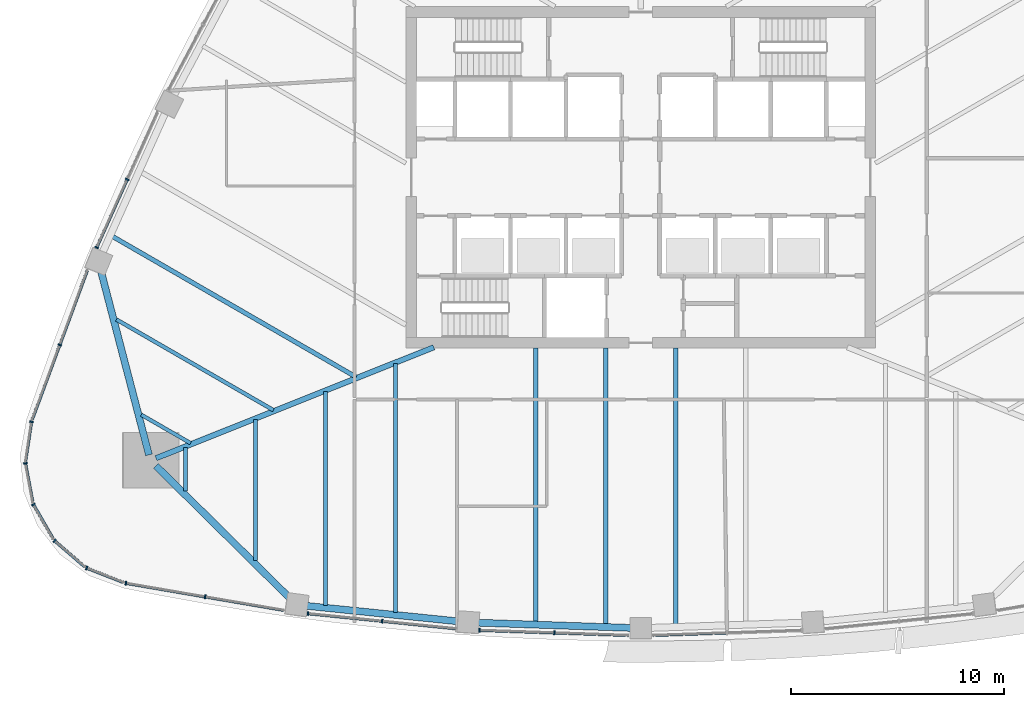
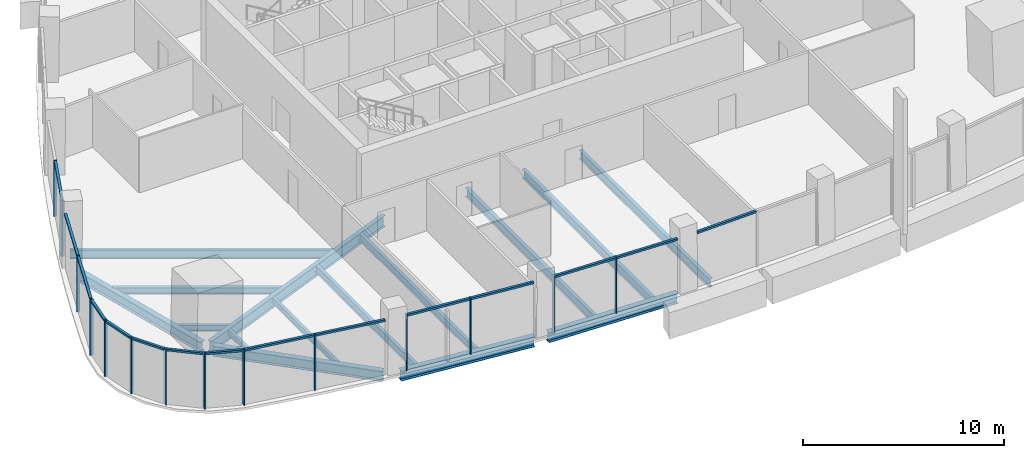
# One storey, part 2 of 17: 29 members, 15 beams, 11 elements without a shape of their own.
"""IFC4 building model written with IfcOpenShell, lengths in metres."""

from ifc_helpers import new_model, si_unit, direction, frame, origin, origin_2d, place, context, subcontext, project, spatial, rectangle, i_section, extrude, material, layer, layer_set, material_profile, profile_set, type_object, element, aggregate, save


model = new_model("IFC4")

# Units and contexts
model_context = context("Model", 3, precision=1e-05, world=origin(), true_north=direction((0.0, 1.0)))
body_context = subcontext(model_context, "Body", "Model", "MODEL_VIEW")
ifc_project = project(units=[si_unit("LENGTHUNIT", "METRE"), si_unit("AREAUNIT", "SQUARE_METRE"), si_unit("VOLUMEUNIT", "CUBIC_METRE"), si_unit("PLANEANGLEUNIT", "RADIAN"), si_unit("MASSUNIT", "GRAM", prefix="KILO")], contexts=[model_context])

# Site, building, storey
site_placement = place(None, origin())
site = spatial("IfcSite", under=ifc_project, at=site_placement, CompositionType="ELEMENT")
building_placement = place(site_placement, origin())
building = spatial("IfcBuilding", under=site, at=building_placement, Name="Sierra Prisma Convention Tower", CompositionType="ELEMENT")
storey_placement = place(building_placement, frame((0.0, 0.0, 201.800048828125)))
storey = spatial("IfcBuildingStorey", under=building, at=storey_placement, Name="L45", CompositionType="ELEMENT", Elevation=201.800048828125)

# Curtain wall, members
ifc_material_1 = material(Name="Aluminium and glass curtain wall", Category="aluminium")
ifc_layer = layer(ifc_material_1, 0.179931640625)
ifc_layer_set = layer_set([ifc_layer], Name="CW-1 Plain shaft curtain wall")
curtain_wall_type = type_object("IfcCurtainWallType", Name="CW-1 Plain shaft curtain wall", PredefinedType="NOTDEFINED", material=ifc_layer_set)
curtain_wall_1_placement = place(storey_placement, origin())
curtain_wall_1 = element("IfcCurtainWall", 1, at=curtain_wall_1_placement, inside=storey, type_object=curtain_wall_type, Name="CW-1 S1 L45", PredefinedType="NOTDEFINED")
ifc_material_2 = material(Name="Aluminium 6063-T6 bronze anodised", Category="aluminium")
ifc_material_profile_1 = material_profile(ifc_material_2, rectangle(XDim=0.179931640625, YDim=0.070068359375, at=origin_2d()), Name="ALU MULLION 70x180")
ifc_profile_set_1 = profile_set([ifc_material_profile_1], Name="Aluminium 6063-T6 bronze anodised")
member_type_1 = type_object("IfcMemberType", Name="CW mullion bronze", PredefinedType="MULLION", material=ifc_profile_set_1)
member_1_placement = place(storey_placement, frame((-24.114013671875, -19.0068359375, 0.0), z_axis=(0.0, 0.0, 1.0), x_axis=(0.168810463918, 0.985648531309, 0.0)))
member_1 = element("IfcMember", 2, at=member_1_placement, type_object=member_type_1, Name="CW-1 mullion S1.1", PredefinedType="MULLION", context=body_context, shape_type="SweptSolid", body=[
    extrude(rectangle(XDim=0.179931640625, YDim=0.070068359375, at=origin_2d()), origin(), (0.0, 0.0, 1.0), 3.39990234375),
])
member_2_placement = place(storey_placement, frame((-20.401123046875, -19.642822265625, 0.0), z_axis=(0.0, 0.0, 1.0), x_axis=(0.168810463918, 0.985648531309, 0.0)))
member_2 = element("IfcMember", 3, at=member_2_placement, type_object=member_type_1, Name="CW-1 mullion S1.2", PredefinedType="MULLION", context=body_context, shape_type="SweptSolid", body=[
    extrude(rectangle(XDim=0.179931640625, YDim=0.070068359375, at=origin_2d()), origin(), (0.0, 0.0, 1.0), 3.39990234375),
])

curtain_wall_2_placement = place(storey_placement, origin())
curtain_wall_2 = element("IfcCurtainWall", 4, at=curtain_wall_2_placement, inside=storey, type_object=curtain_wall_type, Name="CW-1 S2 L45", PredefinedType="NOTDEFINED")
member_3_placement = place(storey_placement, frame((-15.584716796875, -20.427734375, 0.0), z_axis=(0.0, 0.0, 1.0), x_axis=(0.101598010731, 0.994825534561, 0.0)))
member_3 = element("IfcMember", 5, at=member_3_placement, type_object=member_type_1, Name="CW-1 mullion S2.1", PredefinedType="MULLION", context=body_context, shape_type="SweptSolid", body=[
    extrude(rectangle(XDim=0.179931640625, YDim=0.070068359375, at=origin_2d()), origin(), (0.0, 0.0, 1.0), 3.39990234375),
])
member_4_placement = place(storey_placement, frame((-12.10791015625, -20.782958984375, 0.0), z_axis=(0.0, 0.0, 1.0), x_axis=(0.101598010731, 0.994825534561, 0.0)))
member_4 = element("IfcMember", 6, at=member_4_placement, type_object=member_type_1, Name="CW-1 mullion S2.2", PredefinedType="MULLION", context=body_context, shape_type="SweptSolid", body=[
    extrude(rectangle(XDim=0.179931640625, YDim=0.070068359375, at=origin_2d()), origin(), (0.0, 0.0, 1.0), 3.39990234375),
])

curtain_wall_3_placement = place(storey_placement, origin())
curtain_wall_3 = element("IfcCurtainWall", 7, at=curtain_wall_3_placement, inside=storey, type_object=curtain_wall_type, Name="CW-1 S3 L45", PredefinedType="NOTDEFINED")
member_5_placement = place(storey_placement, frame((-7.552001953125, -21.2109375, 0.0), z_axis=(0.0, 0.0, 1.0), x_axis=(0.033918030804, 0.999424618061, 0.0)))
member_5 = element("IfcMember", 8, at=member_5_placement, type_object=member_type_1, Name="CW-1 mullion S3.1", PredefinedType="MULLION", context=body_context, shape_type="SweptSolid", body=[
    extrude(rectangle(XDim=0.179931640625, YDim=0.070068359375, at=origin_2d()), origin(), (0.0, 0.0, 1.0), 3.39990234375),
])
member_6_placement = place(storey_placement, frame((-4.04345703125, -21.329833984375, 0.0), z_axis=(0.0, 0.0, 1.0), x_axis=(0.033918030804, 0.999424618061, 0.0)))
member_6 = element("IfcMember", 9, at=member_6_placement, type_object=member_type_1, Name="CW-1 mullion S3.2", PredefinedType="MULLION", context=body_context, shape_type="SweptSolid", body=[
    extrude(rectangle(XDim=0.179931640625, YDim=0.070068359375, at=origin_2d()), origin(), (0.0, 0.0, 1.0), 3.39990234375),
])

curtain_wall_4_placement = place(storey_placement, origin())
curtain_wall_4 = element("IfcCurtainWall", 10, at=curtain_wall_4_placement, inside=storey, type_object=curtain_wall_type, Name="CW-1 NW5 L45", PredefinedType="NOTDEFINED")
member_7_placement = place(storey_placement, frame((-24.052490234375, -0.094482421875, 0.0), z_axis=(0.0, 0.0, 1.0), x_axis=(0.912343190629, -0.409426309014, 0.0)))
member_7 = element("IfcMember", 11, at=member_7_placement, type_object=member_type_1, Name="CW-1 mullion NW5.2", PredefinedType="MULLION", context=body_context, shape_type="SweptSolid", body=[
    extrude(rectangle(XDim=0.179931640625, YDim=0.070068359375, at=origin_2d()), origin(), (0.0, 0.0, 1.0), 3.39990234375),
])
member_8_placement = place(storey_placement, frame((-25.4833984375, -3.28271484375, 0.0), z_axis=(0.0, 0.0, 1.0), x_axis=(0.912343190629, -0.409426309014, 0.0)))
member_8 = element("IfcMember", 12, at=member_8_placement, type_object=member_type_1, Name="CW-1 mullion NW5.3", PredefinedType="MULLION", context=body_context, shape_type="SweptSolid", body=[
    extrude(rectangle(XDim=0.179931640625, YDim=0.070068359375, at=origin_2d()), origin(), (0.0, 0.0, 1.0), 3.39990234375),
])

# Curtain wall, member
curtain_wall_5_placement = place(storey_placement, origin())
curtain_wall_5 = element("IfcCurtainWall", 13, at=curtain_wall_5_placement, inside=storey, type_object=curtain_wall_type, Name="CW-1 NW6 L45", PredefinedType="NOTDEFINED")
member_9_placement = place(storey_placement, frame((-27.211669921875, -7.846435546875, 0.0), z_axis=(0.0, 0.0, 1.0), x_axis=(0.938001899275, -0.346630115477, 0.0)))
member_9 = element("IfcMember", 14, at=member_9_placement, type_object=member_type_1, Name="CW-1 mullion NW6.2", PredefinedType="MULLION", context=body_context, shape_type="SweptSolid", body=[
    extrude(rectangle(XDim=0.179931640625, YDim=0.070068359375, at=origin_2d()), origin(), (0.0, 0.0, 1.0), 3.39990234375),
])

curtain_wall_6_placement = place(storey_placement, origin())
curtain_wall_6 = element("IfcCurtainWall", 15, at=curtain_wall_6_placement, inside=storey, type_object=curtain_wall_type, Name="CW-1 SW1 L45", PredefinedType="NOTDEFINED")
member_10_placement = place(storey_placement, frame((-28.534912109375, -11.447265625, 0.0), z_axis=(0.0, 0.0, 1.0), x_axis=(0.988572734382, -0.15074464779, 0.0)))
member_10 = element("IfcMember", 16, at=member_10_placement, type_object=member_type_1, Name="CW-1 mullion SW1.1", PredefinedType="MULLION", context=body_context, shape_type="SweptSolid", body=[
    extrude(rectangle(XDim=0.179931640625, YDim=0.070068359375, at=origin_2d()), origin(), (0.0, 0.0, 1.0), 3.39990234375),
])

curtain_wall_7_placement = place(storey_placement, origin())
curtain_wall_7 = element("IfcCurtainWall", 17, at=curtain_wall_7_placement, inside=storey, type_object=curtain_wall_type, Name="CW-1 SW2 L45", PredefinedType="NOTDEFINED")
member_11_placement = place(storey_placement, frame((-28.820068359375, -13.394287109375, 0.0), z_axis=(0.0, 0.0, 1.0), x_axis=(0.982726163628, 0.185065629767, 0.0)))
member_11 = element("IfcMember", 18, at=member_11_placement, type_object=member_type_1, Name="CW-1 mullion SW2.1", PredefinedType="MULLION", context=body_context, shape_type="SweptSolid", body=[
    extrude(rectangle(XDim=0.179931640625, YDim=0.070068359375, at=origin_2d()), origin(), (0.0, 0.0, 1.0), 3.39990234375),
])

curtain_wall_8_placement = place(storey_placement, origin())
curtain_wall_8 = element("IfcCurtainWall", 19, at=curtain_wall_8_placement, inside=storey, type_object=curtain_wall_type, Name="CW-1 SW3 L45", PredefinedType="NOTDEFINED")
member_12_placement = place(storey_placement, frame((-28.4443359375, -15.32568359375, 0.0), z_axis=(0.0, 0.0, 1.0), x_axis=(0.866025403784, 0.5, 0.0)))
member_12 = element("IfcMember", 20, at=member_12_placement, type_object=member_type_1, Name="CW-1 mullion SW3.1", PredefinedType="MULLION", context=body_context, shape_type="SweptSolid", body=[
    extrude(rectangle(XDim=0.179931640625, YDim=0.070068359375, at=origin_2d()), origin(), (0.0, 0.0, 1.0), 3.39990234375),
])

curtain_wall_9_placement = place(storey_placement, origin())
curtain_wall_9 = element("IfcCurtainWall", 21, at=curtain_wall_9_placement, inside=storey, type_object=curtain_wall_type, Name="CW-1 SW4 L45", PredefinedType="NOTDEFINED")
member_13_placement = place(storey_placement, frame((-27.45068359375, -17.02392578125, 0.0), z_axis=(0.0, 0.0, 1.0), x_axis=(0.65163461856, 0.758533007782, 0.0)))
member_13 = element("IfcMember", 22, at=member_13_placement, type_object=member_type_1, Name="CW-1 mullion SW4.1", PredefinedType="MULLION", context=body_context, shape_type="SweptSolid", body=[
    extrude(rectangle(XDim=0.179931640625, YDim=0.070068359375, at=origin_2d()), origin(), (0.0, 0.0, 1.0), 3.39990234375),
])

curtain_wall_10_placement = place(storey_placement, origin())
curtain_wall_10 = element("IfcCurtainWall", 23, at=curtain_wall_10_placement, inside=storey, type_object=curtain_wall_type, Name="CW-1 SW5 L45", PredefinedType="NOTDEFINED")
member_14_placement = place(storey_placement, frame((-25.950439453125, -18.29736328125, 0.0), z_axis=(0.0, 0.0, 1.0), x_axis=(0.363737672721, 0.931501425358, 0.0)))
member_14 = element("IfcMember", 24, at=member_14_placement, type_object=member_type_1, Name="CW-1 mullion SW5.1", PredefinedType="MULLION", context=body_context, shape_type="SweptSolid", body=[
    extrude(rectangle(XDim=0.179931640625, YDim=0.070068359375, at=origin_2d()), origin(), (0.0, 0.0, 1.0), 3.39990234375),
])

# Member
ifc_material_3 = material(Name="Aluminium 6063-T6 bronze anodised", Category="aluminium")
ifc_material_profile_2 = material_profile(ifc_material_3, rectangle(XDim=0.139892578125, YDim=0.1201171875, at=origin_2d()), Name="ALU TRANSOM 120x140")
ifc_profile_set_2 = profile_set([ifc_material_profile_2], Name="Aluminium 6063-T6 bronze anodised")
member_type_2 = type_object("IfcMemberType", Name="CW transom bronze", PredefinedType="USERDEFINED", material=ifc_profile_set_2)
member_15_placement = place(storey_placement, frame((-24.07958984375, -19.0126953125, 3.33984375), z_axis=(0.985652403025, -0.168787856233, 0.0), x_axis=(0.168787856233, 0.985652403025, 0.0)))
member_15 = element("IfcMember", 25, at=member_15_placement, type_object=member_type_2, Name="CW-1 transom S1.1", ObjectType="TRANSOM", PredefinedType="USERDEFINED", context=body_context, shape_type="SweptSolid", body=[
    extrude(rectangle(XDim=0.139892578125, YDim=0.1201171875, at=origin_2d()), origin(), (0.0, 0.0, 1.0), 3.697021484375),
])

member_16_placement = place(storey_placement, frame((-20.36669921875, -19.648681640625, 3.33984375), z_axis=(0.985650521521, -0.168798843083, 0.0), x_axis=(0.168798843083, 0.985650521521, 0.0)))
member_16 = element("IfcMember", 26, at=member_16_placement, type_object=member_type_2, Name="CW-1 transom S1.2", ObjectType="TRANSOM", PredefinedType="USERDEFINED", context=body_context, shape_type="SweptSolid", body=[
    extrude(rectangle(XDim=0.139892578125, YDim=0.1201171875, at=origin_2d()), origin(), (0.0, 0.0, 1.0), 3.69677734375),
])

aggregate(curtain_wall_1, [member_1, member_2, member_15, member_16])

member_17_placement = place(storey_placement, frame((-15.5498046875, -20.431396484375, 3.33984375), z_axis=(0.994826793657, -0.101585681187, 0.0), x_axis=(0.101585681187, 0.994826793657, 0.0)))
member_17 = element("IfcMember", 27, at=member_17_placement, type_object=member_type_2, Name="CW-1 transom S2.1", ObjectType="TRANSOM", PredefinedType="USERDEFINED", context=body_context, shape_type="SweptSolid", body=[
    extrude(rectangle(XDim=0.139892578125, YDim=0.1201171875, at=origin_2d()), origin(), (0.0, 0.0, 1.0), 3.4248046875),
])

member_18_placement = place(storey_placement, frame((-12.0732421875, -20.786376953125, 3.33984375), z_axis=(0.994826793657, -0.101585681187, 0.0), x_axis=(0.101585681187, 0.994826793657, 0.0)))
member_18 = element("IfcMember", 28, at=member_18_placement, type_object=member_type_2, Name="CW-1 transom S2.2", ObjectType="TRANSOM", PredefinedType="USERDEFINED", context=body_context, shape_type="SweptSolid", body=[
    extrude(rectangle(XDim=0.139892578125, YDim=0.1201171875, at=origin_2d()), origin(), (0.0, 0.0, 1.0), 3.4248046875),
])

aggregate(curtain_wall_2, [member_3, member_4, member_17, member_18])

member_19_placement = place(storey_placement, frame((-7.51708984375, -21.2119140625, 3.33984375), z_axis=(0.999424643323, -0.03391728644, 0.0), x_axis=(0.03391728644, 0.999424643323, 0.0)))
member_19 = element("IfcMember", 29, at=member_19_placement, type_object=member_type_2, Name="CW-1 transom S3.1", ObjectType="TRANSOM", PredefinedType="USERDEFINED", context=body_context, shape_type="SweptSolid", body=[
    extrude(rectangle(XDim=0.139892578125, YDim=0.1201171875, at=origin_2d()), origin(), (0.0, 0.0, 1.0), 3.440673828125),
])

member_20_placement = place(storey_placement, frame((-4.00830078125, -21.3310546875, 3.33984375), z_axis=(0.999424643323, -0.03391728644, 0.0), x_axis=(0.03391728644, 0.999424643323, 0.0)))
member_20 = element("IfcMember", 30, at=member_20_placement, type_object=member_type_2, Name="CW-1 transom S3.2", ObjectType="TRANSOM", PredefinedType="USERDEFINED", context=body_context, shape_type="SweptSolid", body=[
    extrude(rectangle(XDim=0.139892578125, YDim=0.1201171875, at=origin_2d()), origin(), (0.0, 0.0, 1.0), 3.440673828125),
])

aggregate(curtain_wall_3, [member_5, member_6, member_19, member_20])

# Curtain wall, member
curtain_wall_11_placement = place(storey_placement, origin())
curtain_wall_11 = element("IfcCurtainWall", 31, at=curtain_wall_11_placement, inside=storey, type_object=curtain_wall_type, Name="CW-1 S4 L45", PredefinedType="NOTDEFINED")
member_21_placement = place(storey_placement, frame((0.569580078125, -21.44775390625, 3.33984375), z_axis=(0.999424643323, 0.03391728644, 0.0), x_axis=(-0.03391728644, 0.999424643323, 0.0)))
member_21 = element("IfcMember", 32, at=member_21_placement, type_object=member_type_2, Name="CW-1 transom S4.1", ObjectType="TRANSOM", PredefinedType="USERDEFINED", context=body_context, shape_type="SweptSolid", body=[
    extrude(rectangle(XDim=0.139892578125, YDim=0.1201171875, at=origin_2d()), origin(), (0.0, 0.0, 1.0), 3.440673828125),
])
aggregate(curtain_wall_11, [member_21])

# Member
member_22_placement = place(storey_placement, frame((-24.06689453125, -0.126220703125, 3.33984375), z_axis=(-0.409409986677, -0.912350515322, 0.0), x_axis=(0.912350515322, -0.409409986677, 0.0)))
member_22 = element("IfcMember", 33, at=member_22_placement, type_object=member_type_2, Name="CW-1 transom NW5.2", ObjectType="TRANSOM", PredefinedType="USERDEFINED", context=body_context, shape_type="SweptSolid", body=[
    extrude(rectangle(XDim=0.139892578125, YDim=0.1201171875, at=origin_2d()), origin(), (0.0, 0.0, 1.0), 3.4248046875),
])

aggregate(curtain_wall_4, [member_7, member_8, member_22])

member_23_placement = place(storey_placement, frame((-25.918212890625, -4.345947265625, 3.33984375), z_axis=(-0.346574352412, -0.938022504128, 0.0), x_axis=(0.938022504128, -0.346574352412, 0.0)))
member_23 = element("IfcMember", 34, at=member_23_placement, type_object=member_type_2, Name="CW-1 transom NW6.1", ObjectType="TRANSOM", PredefinedType="USERDEFINED", context=body_context, shape_type="SweptSolid", body=[
    extrude(rectangle(XDim=0.139892578125, YDim=0.1201171875, at=origin_2d()), origin(), (0.0, 0.0, 1.0), 3.69677734375),
])

member_24_placement = place(storey_placement, frame((-27.223876953125, -7.87939453125, 3.33984375), z_axis=(-0.346632457505, -0.938001033797, 0.0), x_axis=(0.938001033797, -0.346632457505, 0.0)))
member_24 = element("IfcMember", 35, at=member_24_placement, type_object=member_type_2, Name="CW-1 transom NW6.2", ObjectType="TRANSOM", PredefinedType="USERDEFINED", context=body_context, shape_type="SweptSolid", body=[
    extrude(rectangle(XDim=0.139892578125, YDim=0.1201171875, at=origin_2d()), origin(), (0.0, 0.0, 1.0), 3.697021484375),
])

aggregate(curtain_wall_5, [member_9, member_23, member_24])

member_25_placement = place(storey_placement, frame((-28.5400390625, -11.48193359375, 3.33984375), z_axis=(-0.150793568955, -0.988565273293, 0.0), x_axis=(0.988565273293, -0.150793568955, 0.0)))
member_25 = element("IfcMember", 36, at=member_25_placement, type_object=member_type_2, Name="CW-1 transom SW1.1", ObjectType="TRANSOM", PredefinedType="USERDEFINED", context=body_context, shape_type="SweptSolid", body=[
    extrude(rectangle(XDim=0.139892578125, YDim=0.1201171875, at=origin_2d()), origin(), (0.0, 0.0, 1.0), 1.82958984375),
])

aggregate(curtain_wall_6, [member_10, member_25])

member_26_placement = place(storey_placement, frame((-28.8134765625, -13.4287109375, 3.33984375), z_axis=(0.185094204862, -0.982720781976, 0.0), x_axis=(0.982720781976, 0.185094204862, 0.0)))
member_26 = element("IfcMember", 37, at=member_26_placement, type_object=member_type_2, Name="CW-1 transom SW2.1", ObjectType="TRANSOM", PredefinedType="USERDEFINED", context=body_context, shape_type="SweptSolid", body=[
    extrude(rectangle(XDim=0.139892578125, YDim=0.1201171875, at=origin_2d()), origin(), (0.0, 0.0, 1.0), 1.829345703125),
])

aggregate(curtain_wall_7, [member_11, member_26])

member_27_placement = place(storey_placement, frame((-28.427001953125, -15.35595703125, 3.33984375), z_axis=(0.499999675036, -0.866025591402, 0.0), x_axis=(0.866025591402, 0.499999675036, 0.0)))
member_27 = element("IfcMember", 38, at=member_27_placement, type_object=member_type_2, Name="CW-1 transom SW3.1", ObjectType="TRANSOM", PredefinedType="USERDEFINED", context=body_context, shape_type="SweptSolid", body=[
    extrude(rectangle(XDim=0.139892578125, YDim=0.1201171875, at=origin_2d()), origin(), (0.0, 0.0, 1.0), 1.82958984375),
])

aggregate(curtain_wall_8, [member_12, member_27])

member_28_placement = place(storey_placement, frame((-27.424072265625, -17.046630859375, 3.33984375), z_axis=(0.758521495922, -0.65164801866, 0.0), x_axis=(0.65164801866, 0.758521495922, 0.0)))
member_28 = element("IfcMember", 39, at=member_28_placement, type_object=member_type_2, Name="CW-1 transom SW4.1", ObjectType="TRANSOM", PredefinedType="USERDEFINED", context=body_context, shape_type="SweptSolid", body=[
    extrude(rectangle(XDim=0.139892578125, YDim=0.1201171875, at=origin_2d()), origin(), (0.0, 0.0, 1.0), 1.829833984375),
])

aggregate(curtain_wall_9, [member_13, member_28])

member_29_placement = place(storey_placement, frame((-25.91796875, -18.31005859375, 3.33984375), z_axis=(0.931500445326, -0.363740182489, 0.0), x_axis=(0.363740182489, 0.931500445326, 0.0)))
member_29 = element("IfcMember", 40, at=member_29_placement, type_object=member_type_2, Name="CW-1 transom SW5.1", ObjectType="TRANSOM", PredefinedType="USERDEFINED", context=body_context, shape_type="SweptSolid", body=[
    extrude(rectangle(XDim=0.139892578125, YDim=0.1201171875, at=origin_2d()), origin(), (0.0, 0.0, 1.0), 1.82958984375),
])

aggregate(curtain_wall_10, [member_14, member_29])

# Beams
ifc_material_4 = material(Name="Steel ASTM A992 Gr 50", Category="steel")
ifc_material_profile_3 = material_profile(ifc_material_4, i_section(OverallWidth=0.172119140625, OverallDepth=0.35791015625, WebThickness=0.0078125, FlangeThickness=0.01318359375, at=origin_2d()), Name="W360x57")
ifc_profile_set_3 = profile_set([ifc_material_profile_3], Name="Steel ASTM A992 Gr 50")
beam_type_1 = type_object("IfcBeamType", Name="Floor joist W360x57", PredefinedType="JOIST", material=ifc_profile_set_3)
beam_1_placement = place(storey_placement, frame((-21.32275390625, -14.69921875, -0.3291015625), z_axis=(0.0, 1.0, 0.0), x_axis=(-1.0, 0.0, 0.0)))
element("IfcBeam", 41, at=beam_1_placement, inside=storey, type_object=beam_type_1, Name="Floor joist L45 S01", PredefinedType="JOIST", context=body_context, shape_type="SweptSolid", body=[
    extrude(i_section(OverallWidth=0.172119140625, OverallDepth=0.35791015625, WebThickness=0.0078125, FlangeThickness=0.01318359375, at=origin_2d()), origin(), (0.0, 0.0, 1.0), 2.0419921875),
])
beam_2_placement = place(storey_placement, frame((-18.04248046875, -17.93896484375, -0.3291015625), z_axis=(0.0, 1.0, 0.0), x_axis=(-1.0, 0.0, 0.0)))
element("IfcBeam", 42, at=beam_2_placement, inside=storey, type_object=beam_type_1, Name="Floor joist L45 S02", PredefinedType="JOIST", context=body_context, shape_type="SweptSolid", body=[
    extrude(i_section(OverallWidth=0.172119140625, OverallDepth=0.35791015625, WebThickness=0.0078125, FlangeThickness=0.01318359375, at=origin_2d()), origin(), (0.0, 0.0, 1.0), 6.592041015625),
])
beam_3_placement = place(storey_placement, frame((-23.391357421875, -11.116455078125, -0.3291015625), z_axis=(0.866016491138, -0.500015436839, 0.0), x_axis=(0.500015436839, 0.866016491138, 0.0)))
element("IfcBeam", 43, at=beam_3_placement, inside=storey, type_object=beam_type_1, Name="Floor joist L45 NW14", PredefinedType="JOIST", context=body_context, shape_type="SweptSolid", body=[
    extrude(i_section(OverallWidth=0.172119140625, OverallDepth=0.35791015625, WebThickness=0.0078125, FlangeThickness=0.01318359375, at=origin_2d()), origin(), (0.0, 0.0, 1.0), 2.6689453125),
])
ifc_material_5 = material(Name="Steel ASTM A992 Gr 50", Category="steel")
ifc_material_profile_4 = material_profile(ifc_material_5, i_section(OverallWidth=0.177978515625, OverallDepth=0.406982421875, WebThickness=0.0078125, FlangeThickness=0.0126953125, at=origin_2d()), Name="W410x60")
ifc_profile_set_4 = profile_set([ifc_material_profile_4], Name="Steel ASTM A992 Gr 50")
beam_type_2 = type_object("IfcBeamType", Name="Floor joist W410x60", PredefinedType="JOIST", material=ifc_profile_set_4)
beam_4_placement = place(storey_placement, frame((-24.556640625, -6.65576171875, -0.353515625), z_axis=(0.866026642527, -0.499997854429, 0.0), x_axis=(0.499997854429, 0.866026642527, 0.0)))
element("IfcBeam", 44, at=beam_4_placement, inside=storey, type_object=beam_type_2, Name="Floor joist L45 NW13", PredefinedType="JOIST", context=body_context, shape_type="SweptSolid", body=[
    extrude(i_section(OverallWidth=0.177978515625, OverallDepth=0.406982421875, WebThickness=0.0078125, FlangeThickness=0.0126953125, at=origin_2d()), origin(), (0.0, 0.0, 1.0), 8.4921875),
])
ifc_material_6 = material(Name="Steel ASTM A992 Gr 50", Category="steel")
ifc_material_profile_5 = material_profile(ifc_material_6, i_section(OverallWidth=0.18994140625, OverallDepth=0.45703125, WebThickness=0.009033203125, FlangeThickness=0.014404296875, at=origin_2d()), Name="W460x74")
ifc_profile_set_5 = profile_set([ifc_material_profile_5], Name="Steel ASTM A992 Gr 50")
beam_type_3 = type_object("IfcBeamType", Name="Floor joist W460x74", PredefinedType="JOIST", material=ifc_profile_set_5)
beam_5_placement = place(storey_placement, frame((-14.761962890625, -20.046875, -0.378662109375), z_axis=(0.0, 1.0, 0.0), x_axis=(-1.0, 0.0, 0.0)))
element("IfcBeam", 45, at=beam_5_placement, inside=storey, type_object=beam_type_3, Name="Floor joist L45 S03", PredefinedType="JOIST", context=body_context, shape_type="SweptSolid", body=[
    extrude(i_section(OverallWidth=0.18994140625, OverallDepth=0.45703125, WebThickness=0.009033203125, FlangeThickness=0.014404296875, at=origin_2d()), origin(), (0.0, 0.0, 1.0), 10.01025390625),
])
beam_6_placement = place(storey_placement, frame((-11.4814453125, -20.3818359375, -0.378662109375), z_axis=(0.0, 1.0, 0.0), x_axis=(-1.0, 0.0, 0.0)))
element("IfcBeam", 46, at=beam_6_placement, inside=storey, type_object=beam_type_3, Name="Floor joist L45 S04", PredefinedType="JOIST", context=body_context, shape_type="SweptSolid", body=[
    extrude(i_section(OverallWidth=0.18994140625, OverallDepth=0.45703125, WebThickness=0.009033203125, FlangeThickness=0.014404296875, at=origin_2d()), origin(), (0.0, 0.0, 1.0), 11.655517578125),
])
ifc_material_7 = material(Name="Steel ASTM A992 Gr 50", Category="steel")
ifc_material_profile_6 = material_profile(ifc_material_7, i_section(OverallWidth=0.208984375, OverallDepth=0.532958984375, WebThickness=0.01025390625, FlangeThickness=0.015625, at=origin_2d()), Name="W530x92")
ifc_profile_set_6 = profile_set([ifc_material_profile_6], Name="Steel ASTM A992 Gr 50")
beam_type_4 = type_object("IfcBeamType", Name="Floor joist W530x92", PredefinedType="JOIST", material=ifc_profile_set_6)
beam_7_placement = place(storey_placement, frame((-4.920654296875, -20.837646484375, -0.41650390625), z_axis=(0.0, 1.0, 0.0), x_axis=(-1.0, 0.0, 0.0)))
element("IfcBeam", 47, at=beam_7_placement, inside=storey, type_object=beam_type_4, Name="Floor joist L45 S06", PredefinedType="JOIST", context=body_context, shape_type="SweptSolid", body=[
    extrude(i_section(OverallWidth=0.208984375, OverallDepth=0.532958984375, WebThickness=0.01025390625, FlangeThickness=0.015625, at=origin_2d()), origin(), (0.0, 0.0, 1.0), 12.837646484375),
])
for number, where, z_axis, x_axis, name in (
    (48, (-1.64013671875, -20.948974609375, -0.41650390625), (0.0, 1.0, 0.0), (-1.0, 0.0, 0.0), "Floor joist L45 S07"),
    (49, (1.64013671875, -20.948974609375, -0.41650390625), (0.0, 1.0, 0.0), (-1.0, 0.0, 0.0), "Floor joist L45 S08"),
):
    element("IfcBeam", number, at=place(storey_placement, frame(where, z_axis=z_axis, x_axis=x_axis)), inside=storey, type_object=beam_type_4, Name=name, PredefinedType="JOIST", context=body_context, shape_type="SweptSolid", body=[
        extrude(i_section(OverallWidth=0.208984375, OverallDepth=0.532958984375, WebThickness=0.01025390625, FlangeThickness=0.015625, at=origin_2d()), origin(), (0.0, 0.0, 1.0), 12.948974609375),
    ])
beam_8_placement = place(storey_placement, frame((-24.741943359375, -2.7607421875, -0.41650390625), z_axis=(0.866016904474, -0.500014720949, 0.0), x_axis=(0.500014720949, 0.866016904474, 0.0)))
element("IfcBeam", 50, at=beam_8_placement, inside=storey, type_object=beam_type_4, Name="Floor joist L45 NW12", PredefinedType="JOIST", context=body_context, shape_type="SweptSolid", body=[
    extrude(i_section(OverallWidth=0.208984375, OverallDepth=0.532958984375, WebThickness=0.01025390625, FlangeThickness=0.015625, at=origin_2d()), origin(), (0.0, 0.0, 1.0), 13.18408203125),
])
ifc_material_8 = material(Name="Steel ASTM A992 Gr 50", Category="steel")
ifc_material_profile_7 = material_profile(ifc_material_8, i_section(OverallWidth=0.25390625, OverallDepth=0.68408203125, WebThickness=0.012451171875, FlangeThickness=0.018798828125, at=origin_2d()), Name="W690x140")
ifc_profile_set_7 = profile_set([ifc_material_profile_7], Name="Steel ASTM A992 Gr 50")
beam_type_5 = type_object("IfcBeamType", Name="Radial girder W690x140", PredefinedType="BEAM", material=ifc_profile_set_7)
beam_9_placement = place(storey_placement, frame((-22.703125, -13.15380859375, -0.491943359375), z_axis=(0.928663995626, 0.370922071638, 0.0), x_axis=(-0.370922071638, 0.928663995626, 0.0)))
element("IfcBeam", 51, at=beam_9_placement, inside=storey, type_object=beam_type_5, Name="Radial girder L45 SW", PredefinedType="BEAM", context=body_context, shape_type="SweptSolid", body=[
    extrude(i_section(OverallWidth=0.25390625, OverallDepth=0.68408203125, WebThickness=0.012451171875, FlangeThickness=0.018798828125, at=origin_2d()), origin(), (0.0, 0.0, 1.0), 14.014404296875),
])
ifc_material_9 = material(Name="Steel ASTM A992 Gr 50", Category="steel")
ifc_material_profile_8 = material_profile(ifc_material_9, i_section(OverallWidth=0.324951171875, OverallDepth=0.615966796875, WebThickness=0.013916015625, FlangeThickness=0.021484375, at=origin_2d()), Name="W610x174")
ifc_profile_set_8 = profile_set([ifc_material_profile_8], Name="Steel ASTM A992 Gr 50")
beam_type_6 = type_object("IfcBeamType", Name="Spandrel beam W610x174", PredefinedType="BEAM", material=ifc_profile_set_8)
beam_10_placement = place(storey_placement, frame((-22.703125, -13.514404296875, -0.4580078125), z_axis=(0.711498275787, -0.702687842183, 0.0), x_axis=(0.702687842183, 0.711498275787, 0.0)))
element("IfcBeam", 52, at=beam_10_placement, inside=storey, type_object=beam_type_6, Name="Spandrel L45-01", PredefinedType="BEAM", context=body_context, shape_type="SweptSolid", body=[
    extrude(i_section(OverallWidth=0.324951171875, OverallDepth=0.615966796875, WebThickness=0.013916015625, FlangeThickness=0.021484375, at=origin_2d()), origin(), (0.0, 0.0, 1.0), 8.756591796875),
])
beam_11_placement = place(storey_placement, frame((-15.7353515625, -20.060791015625, -0.4580078125), z_axis=(0.994825614839, -0.101597224663, 0.0), x_axis=(0.101597224663, 0.994825614839, 0.0)))
element("IfcBeam", 53, at=beam_11_placement, inside=storey, type_object=beam_type_6, Name="Spandrel L45-02", PredefinedType="BEAM", context=body_context, shape_type="SweptSolid", body=[
    extrude(i_section(OverallWidth=0.324951171875, OverallDepth=0.615966796875, WebThickness=0.013916015625, FlangeThickness=0.021484375, at=origin_2d()), origin(), (0.0, 0.0, 1.0), 7.319580078125),
])
beam_12_placement = place(storey_placement, frame((-7.6953125, -20.85595703125, -0.4580078125), z_axis=(0.999424472244, -0.033922327146, 0.0), x_axis=(0.033922327146, 0.999424472244, 0.0)))
element("IfcBeam", 54, at=beam_12_placement, inside=storey, type_object=beam_type_6, Name="Spandrel L45-03", PredefinedType="BEAM", context=body_context, shape_type="SweptSolid", body=[
    extrude(i_section(OverallWidth=0.324951171875, OverallDepth=0.615966796875, WebThickness=0.013916015625, FlangeThickness=0.021484375, at=origin_2d()), origin(), (0.0, 0.0, 1.0), 7.3193359375),
])
beam_13_placement = place(storey_placement, frame((-25.268798828125, -4.432373046875, -0.4580078125), z_axis=(0.25277438293, -0.967525251006, 0.0), x_axis=(0.967525251006, 0.25277438293, 0.0)))
element("IfcBeam", 55, at=beam_13_placement, inside=storey, type_object=beam_type_6, Name="Spandrel L45-18", PredefinedType="BEAM", context=body_context, shape_type="SweptSolid", body=[
    extrude(i_section(OverallWidth=0.324951171875, OverallDepth=0.615966796875, WebThickness=0.013916015625, FlangeThickness=0.021484375, at=origin_2d()), origin(), (0.0, 0.0, 1.0), 8.85302734375),
])

save(model, "model.ifc")
